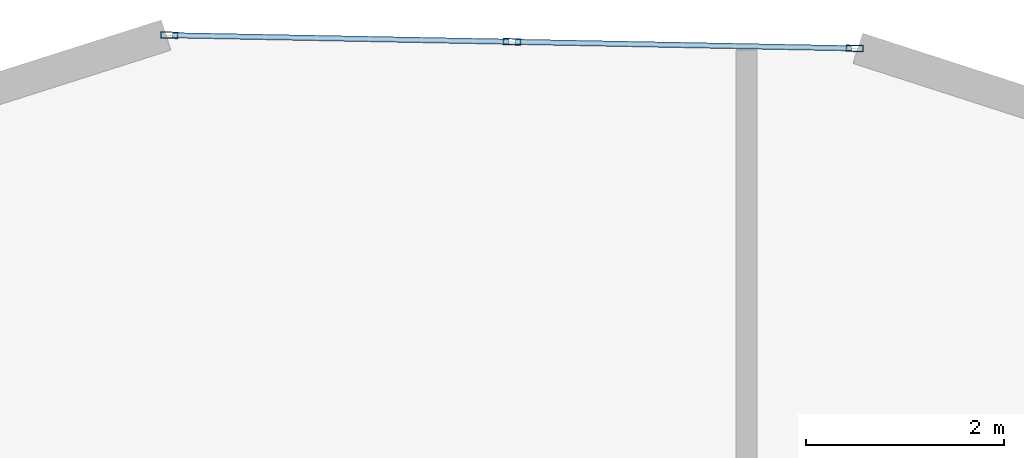
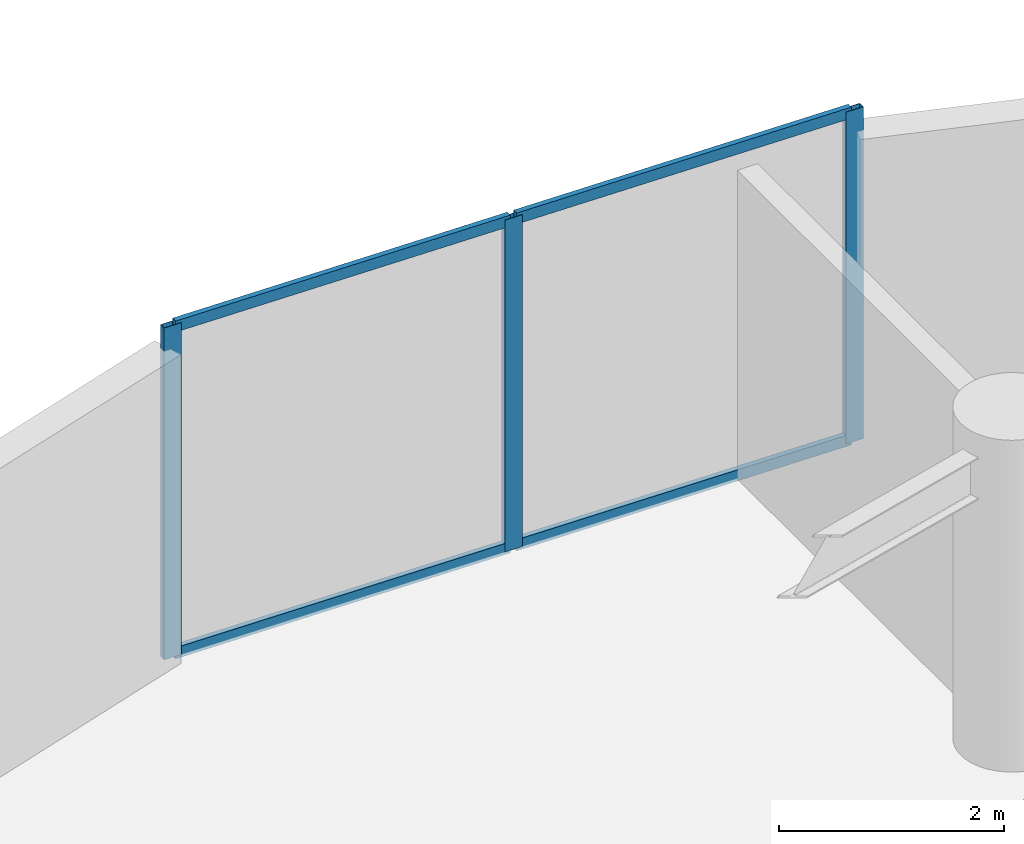
# One storey, part 12 of 20: 7 members, 1 element without a shape of its own.
"""IFC4 building model written with IfcOpenShell, lengths in metres."""

from ifc_helpers import new_model, si_unit, direction, frame, origin, origin_2d, place, context, subcontext, project, spatial, hollow_rectangle, extrude, source, transform, mapped, material, layer, layer_set, material_profile, profile_set, type_object, element, aggregate, save


model = new_model("IFC4")

# Units and contexts
model_context = context("Model", 3, precision=1e-05, world=origin(), true_north=direction((0.0, 1.0)))
body_context = subcontext(model_context, "Body", "Model", "MODEL_VIEW")
ifc_project = project(units=[si_unit("LENGTHUNIT", "METRE"), si_unit("AREAUNIT", "SQUARE_METRE"), si_unit("VOLUMEUNIT", "CUBIC_METRE"), si_unit("PLANEANGLEUNIT", "RADIAN"), si_unit("MASSUNIT", "GRAM", prefix="KILO")], contexts=[model_context])

# Site, building, storey
site_placement = place(None, origin())
site = spatial("IfcSite", under=ifc_project, at=site_placement, CompositionType="ELEMENT")
building_placement = place(site_placement, origin())
building = spatial("IfcBuilding", under=site, at=building_placement, Name="Solvirekh Grand Hotel", CompositionType="ELEMENT")
storey_placement = place(building_placement, frame((0.0, 0.0, 135.0)))
storey = spatial("IfcBuildingStorey", under=building, at=storey_placement, Name="L34", CompositionType="ELEMENT", Elevation=135.0)

# Curtain wall, members
ifc_material = material(Name="Anodized Bronze Aluminium 6063-T6", Category="aluminium")
ifc_layer = layer(ifc_material, 0.175048828125)
ifc_layer_set = layer_set([ifc_layer], Name="Anodized Bronze Aluminium 6063-T6")
curtain_wall_type = type_object("IfcCurtainWallType", Name="CW_Sys3_MidZoneFlushBronzeCW", PredefinedType="NOTDEFINED", material=ifc_layer_set)
curtain_wall_placement = place(storey_placement, origin())
curtain_wall = element("IfcCurtainWall", 1, at=curtain_wall_placement, inside=storey, type_object=curtain_wall_type, Name="L34 unitised bronze-glass curtain wall CW-L34-C08", PredefinedType="NOTDEFINED")
ifc_material_profile_1 = material_profile(ifc_material, hollow_rectangle(XDim=0.054931640625, YDim=0.1201171875, WallThickness=0.00390625, at=origin_2d()), Name="ALU RHS 120X55X4")
ifc_profile_set_1 = profile_set([ifc_material_profile_1], Name="Anodized Bronze Aluminium 6063-T6")
member_type_1 = type_object("IfcMemberType", Name="CWTransom_Sys3", PredefinedType="USERDEFINED", material=ifc_profile_set_1)
shared_shape_1 = source(origin(), body_context, "Body", "SweptSolid", [
    extrude(hollow_rectangle(XDim=0.054931640625, YDim=0.1201171875, WallThickness=0.00390625, at=origin_2d()), origin(), (0.0, 0.0, 1.0), 3.397216796875),
])
member_1_placement = place(storey_placement, frame((1.06005859375, 21.71630859375, 0.027587890625), z_axis=(-0.999815883193, 0.019188530823, 0.0), x_axis=(-0.019188530823, -0.999815883193, 0.0)))
member_1 = element("IfcMember", 2, at=member_1_placement, type_object=member_type_1, Name="U03 transom 1.1", ObjectType="TRANSOM", PredefinedType="USERDEFINED", context=body_context, shape_type="MappedRepresentation", body=[
    mapped(shared_shape_1, transform((0.0, 0.0, 0.0), x_axis=(1.0, 0.0, 0.0), y_axis=(0.0, 1.0, 0.0), z_axis=(0.0, 0.0, 1.0), scale=1.0)),
])
member_2_placement = place(storey_placement, frame((1.06005859375, 21.71630859375, 3.572509765625), z_axis=(-0.999815883193, 0.019188530823, 0.0), x_axis=(-0.019188530823, -0.999815883193, 0.0)))
member_2 = element("IfcMember", 3, at=member_2_placement, type_object=member_type_1, Name="U03 transom 1.2", ObjectType="TRANSOM", PredefinedType="USERDEFINED", context=body_context, shape_type="MappedRepresentation", body=[
    mapped(shared_shape_1, transform((0.0, 0.0, 0.0), x_axis=(1.0, 0.0, 0.0), y_axis=(0.0, 1.0, 0.0), z_axis=(0.0, 0.0, 1.0), scale=1.0)),
])
member_3_placement = place(storey_placement, frame((-2.401611328125, 21.78271484375, 0.027587890625), z_axis=(-0.999817259385, 0.01911668998, 0.0), x_axis=(-0.01911668998, -0.999817259385, 0.0)))
member_3 = element("IfcMember", 4, at=member_3_placement, type_object=member_type_1, Name="U03 transom 2.1", ObjectType="TRANSOM", PredefinedType="USERDEFINED", context=body_context, shape_type="MappedRepresentation", body=[
    mapped(shared_shape_1, transform((0.0, 0.0, 0.0), x_axis=(1.0, 0.0, 0.0), y_axis=(0.0, 1.0, 0.0), z_axis=(0.0, 0.0, 1.0), scale=1.0)),
])
member_4_placement = place(storey_placement, frame((-2.401611328125, 21.78271484375, 3.572509765625), z_axis=(-0.999817259385, 0.01911668998, 0.0), x_axis=(-0.01911668998, -0.999817259385, 0.0)))
member_4 = element("IfcMember", 5, at=member_4_placement, type_object=member_type_1, Name="U03 transom 2.2", ObjectType="TRANSOM", PredefinedType="USERDEFINED", context=body_context, shape_type="MappedRepresentation", body=[
    mapped(shared_shape_1, transform((0.0, 0.0, 0.0), x_axis=(1.0, 0.0, 0.0), y_axis=(0.0, 1.0, 0.0), z_axis=(0.0, 0.0, 1.0), scale=1.0)),
])
ifc_material_profile_2 = material_profile(ifc_material, hollow_rectangle(XDim=0.06494140625, YDim=0.175048828125, WallThickness=0.0048828125, at=origin_2d()), Name="ALU RHS 175X65X5")
ifc_profile_set_2 = profile_set([ifc_material_profile_2], Name="Anodized Bronze Aluminium 6063-T6")
member_type_2 = type_object("IfcMemberType", Name="CWMullion_Sys3", PredefinedType="MULLION", material=ifc_profile_set_2)
shared_shape_2 = source(origin(), body_context, "Body", "SweptSolid", [
    extrude(hollow_rectangle(XDim=0.06494140625, YDim=0.175048828125, WallThickness=0.0048828125, at=origin_2d()), origin(), (0.0, 0.0, 1.0), 3.60009765625),
])
member_5_placement = place(storey_placement, frame((1.092529296875, 21.715576171875, 0.0), z_axis=(0.0, 0.0, 1.0), x_axis=(-0.019172205256, -0.999816196381, 0.0)))
member_5 = element("IfcMember", 6, at=member_5_placement, type_object=member_type_2, Name="U03 mullion 1", PredefinedType="MULLION", context=body_context, shape_type="MappedRepresentation", body=[
    mapped(shared_shape_2, transform((0.0, 0.0, 0.0), x_axis=(1.0, 0.0, 0.0), y_axis=(0.0, 1.0, 0.0), z_axis=(0.0, 0.0, 1.0), scale=1.0)),
])
member_6_placement = place(storey_placement, frame((-2.368896484375, 21.781982421875, 0.0), z_axis=(0.0, 0.0, 1.0), x_axis=(-0.019172205256, -0.999816196381, 0.0)))
member_6 = element("IfcMember", 7, at=member_6_placement, type_object=member_type_2, Name="U03 mullion 2", PredefinedType="MULLION", context=body_context, shape_type="MappedRepresentation", body=[
    mapped(shared_shape_2, transform((0.0, 0.0, 0.0), x_axis=(1.0, 0.0, 0.0), y_axis=(0.0, 1.0, 0.0), z_axis=(0.0, 0.0, 1.0), scale=1.0)),
])
member_7_placement = place(storey_placement, frame((-5.83056640625, 21.848388671875, 0.0), z_axis=(0.0, 0.0, 1.0), x_axis=(-0.019172205256, -0.999816196381, 0.0)))
member_7 = element("IfcMember", 8, at=member_7_placement, type_object=member_type_2, Name="U03 mullion 3", PredefinedType="MULLION", context=body_context, shape_type="MappedRepresentation", body=[
    mapped(shared_shape_2, transform((0.0, 0.0, 0.0), x_axis=(1.0, 0.0, 0.0), y_axis=(0.0, 1.0, 0.0), z_axis=(0.0, 0.0, 1.0), scale=1.0)),
])
aggregate(curtain_wall, [member_5, member_6, member_7, member_1, member_2, member_3, member_4])

save(model, "model.ifc")
